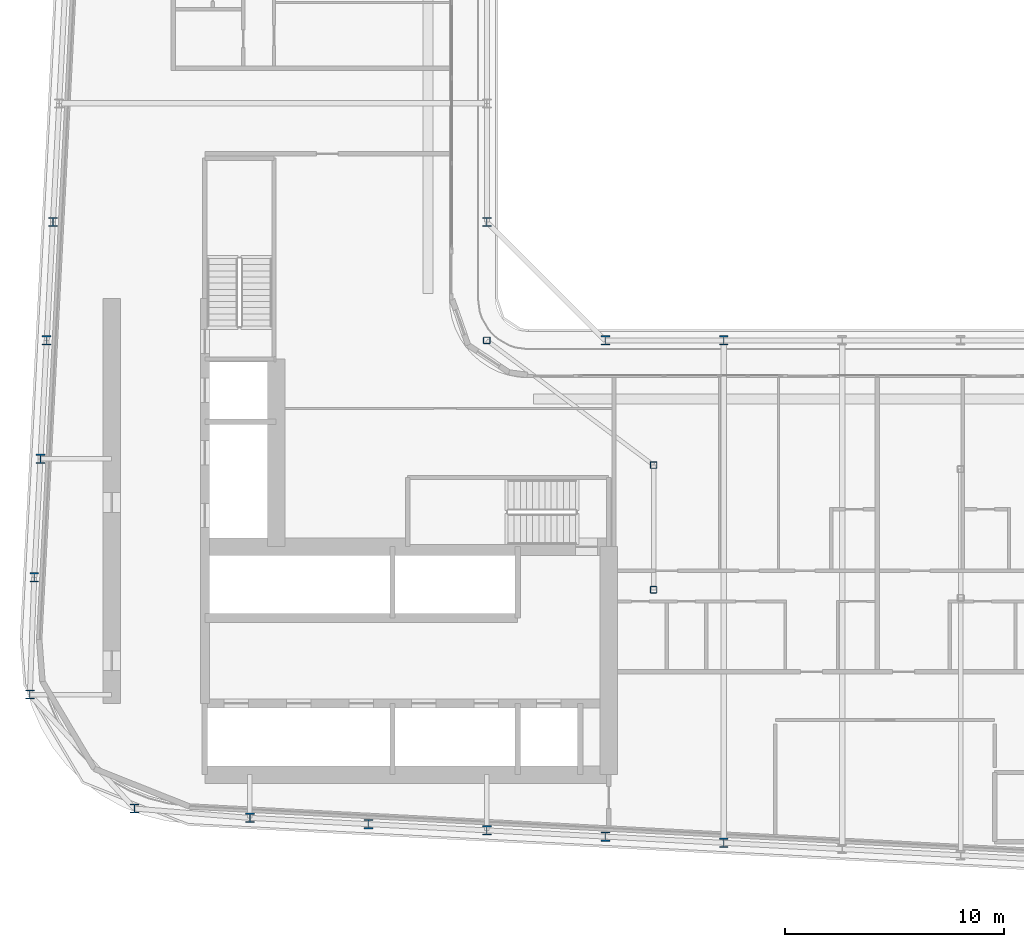
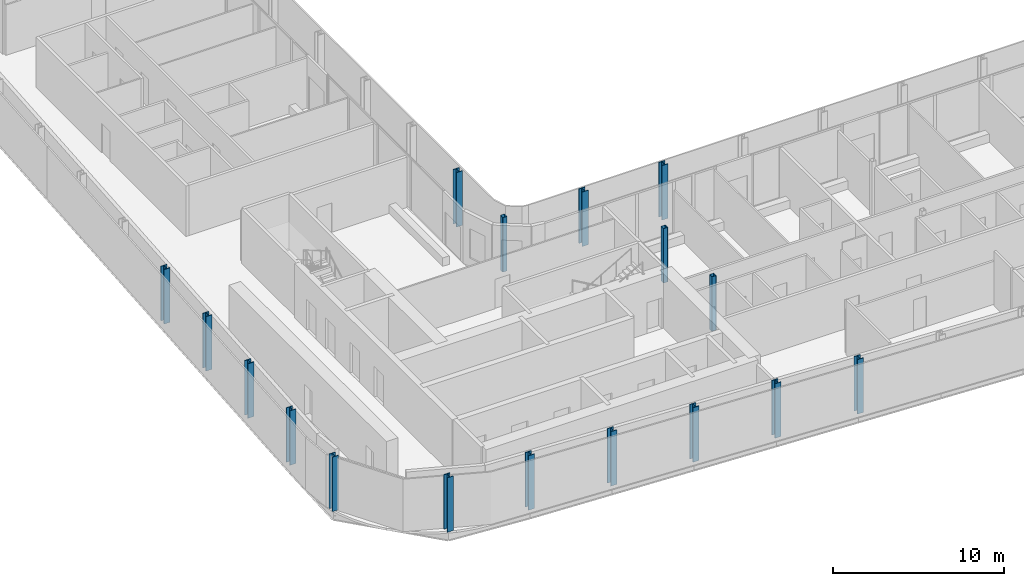
# One storey, part 1 of 28: 17 columns.
"""IFC4 building model written with IfcOpenShell, lengths in metres."""

from ifc_helpers import new_model, si_unit, direction, frame, origin, origin_2d, place, context, subcontext, project, spatial, hollow_rectangle, i_section, extrude, material, material_profile, profile_set, type_object, element, save


model = new_model("IFC4")

# Units and contexts
model_context = context("Model", 3, precision=1e-05, world=origin(), true_north=direction((0.0, 1.0)))
body_context = subcontext(model_context, "Body", "Model", "MODEL_VIEW")
ifc_project = project(units=[si_unit("LENGTHUNIT", "METRE"), si_unit("AREAUNIT", "SQUARE_METRE"), si_unit("VOLUMEUNIT", "CUBIC_METRE"), si_unit("PLANEANGLEUNIT", "RADIAN"), si_unit("MASSUNIT", "GRAM", prefix="KILO")], contexts=[model_context])

# Site, building, storey
site_placement = place(None, origin())
site = spatial("IfcSite", under=ifc_project, at=site_placement, CompositionType="ELEMENT")
building_placement = place(site_placement, origin())
building = spatial("IfcBuilding", under=site, at=building_placement, Name="Kheshtan School and Residences Tower", CompositionType="ELEMENT")
storey_placement = place(building_placement, frame((0.0, 0.0, 187.699951171875)))
storey = spatial("IfcBuildingStorey", under=building, at=storey_placement, Name="L44", CompositionType="ELEMENT", Elevation=187.699951171875)

# Columns
ifc_material_1 = material(Name="Steel ASTM A992 Grade 50", Category="steel")
ifc_material_profile_1 = material_profile(ifc_material_1, i_section(OverallWidth=0.408935546875, OverallDepth=0.425048828125, WebThickness=0.03271484375, FlangeThickness=0.052490234375, FilletRadius=0.0126953125, at=origin_2d()), Name="W360x421")
ifc_profile_set_1 = profile_set([ifc_material_profile_1], Name="Steel ASTM A992 Grade 50")
column_type_1 = type_object("IfcColumnType", Name="Column C3 W360x421 ASTM A992 Grade 50", PredefinedType="COLUMN", material=ifc_profile_set_1)
for number, where, z_axis, x_axis, name in (
    (1, (58.39990234375, 22.695068359375, 0.0), (0.0, 0.0, 1.0), (1.0, 0.0, 0.0), "Column C018"),
    (2, (53.0, 22.97998046875, 0.0), (0.0, 0.0, 1.0), (1.0, 0.0, 0.0), "Column C019"),
    (3, (47.60009765625, 23.263916015625, 0.0), (0.0, 0.0, 1.0), (1.0, 0.0, 0.0), "Column C020"),
    (4, (42.199951171875, 23.548095703125, 0.0), (0.0, 0.0, 1.0), (1.0, 0.0, 0.0), "Column C021"),
    (5, (36.800048828125, 23.83203125, 0.0), (0.0, 0.0, 1.0), (1.0, 0.0, 0.0), "Column C022"),
    (6, (31.5419921875, 24.257080078125, 0.0), (0.0, 0.0, 1.0), (1.0, 0.0, 0.0), "Column C025"),
    (7, (26.76904296875, 29.4541015625, 0.0), (0.0, 0.0, 1.0), (1.0, 0.0, 0.0), "Column C038"),
    (8, (26.968994140625, 34.800048828125, 0.0), (0.0, 0.0, 1.0), (1.0, 0.0, 0.0), "Column C052"),
    (9, (27.2529296875, 40.199951171875, 0.0), (0.0, 0.0, 1.0), (1.0, 0.0, 0.0), "Column C056"),
    (10, (27.537109375, 45.60009765625, 0.0), (0.0, 0.0, 1.0), (1.0, 0.0, 0.0), "Column C059"),
    (11, (53.0, 45.60009765625, 0.0), (0.0, 0.0, 1.0), (1.0, 0.0, 0.0), "Column C061"),
    (12, (58.39990234375, 45.60009765625, 0.0), (0.0, 0.0, 1.0), (1.0, 0.0, 0.0), "Column C062"),
    (13, (27.822021484375, 51.0, 0.0), (0.0, 0.0, 1.0), (1.0, 0.0, 0.0), "Column C078"),
    (14, (47.60009765625, 51.0, 0.0), (0.0, 0.0, 1.0), (1.0, 0.0, 0.0), "Column C079"),
):
    element("IfcColumn", number, at=place(storey_placement, frame(where, z_axis=z_axis, x_axis=x_axis)), inside=storey, type_object=column_type_1, Name=name, PredefinedType="COLUMN", context=body_context, shape_type="SweptSolid", body=[
        extrude(i_section(OverallWidth=0.408935546875, OverallDepth=0.425048828125, WebThickness=0.03271484375, FlangeThickness=0.052490234375, FilletRadius=0.0126953125, at=origin_2d()), origin(), (0.0, 0.0, 1.0), 3.900146484375),
    ])
ifc_material_2 = material(Name="Steel ASTM A500 Grade C", Category="steel")
ifc_material_profile_2 = material_profile(ifc_material_2, hollow_rectangle(XDim=0.304931640625, YDim=0.304931640625, WallThickness=0.015869140625, InnerFilletRadius=0.015869140625, OuterFilletRadius=0.03173828125, at=origin_2d()), Name="HSS 305x305x15.9")
ifc_profile_set_2 = profile_set([ifc_material_profile_2], Name="Steel ASTM A500 Grade C")
column_type_2 = type_object("IfcColumnType", Name="Column IC2 HSS 305x305x15.9 ASTM A500 Grade C", PredefinedType="COLUMN", material=ifc_profile_set_2)
for number, where, z_axis, x_axis, name in (
    (15, (55.199951171875, 34.23193359375, 0.0), (0.0, 0.0, 1.0), (1.0, 0.0, 0.0), "Column C051"),
    (16, (55.199951171875, 39.916015625, 0.0), (0.0, 0.0, 1.0), (1.0, 0.0, 0.0), "Column C055"),
    (17, (47.60009765625, 45.60009765625, 0.0), (0.0, 0.0, 1.0), (1.0, 0.0, 0.0), "Column C060"),
):
    element("IfcColumn", number, at=place(storey_placement, frame(where, z_axis=z_axis, x_axis=x_axis)), inside=storey, type_object=column_type_2, Name=name, PredefinedType="COLUMN", context=body_context, shape_type="SweptSolid", body=[
        extrude(hollow_rectangle(XDim=0.304931640625, YDim=0.304931640625, WallThickness=0.015869140625, InnerFilletRadius=0.015869140625, OuterFilletRadius=0.03173828125, at=origin_2d()), origin(), (0.0, 0.0, 1.0), 3.900146484375),
    ])

save(model, "model.ifc")
